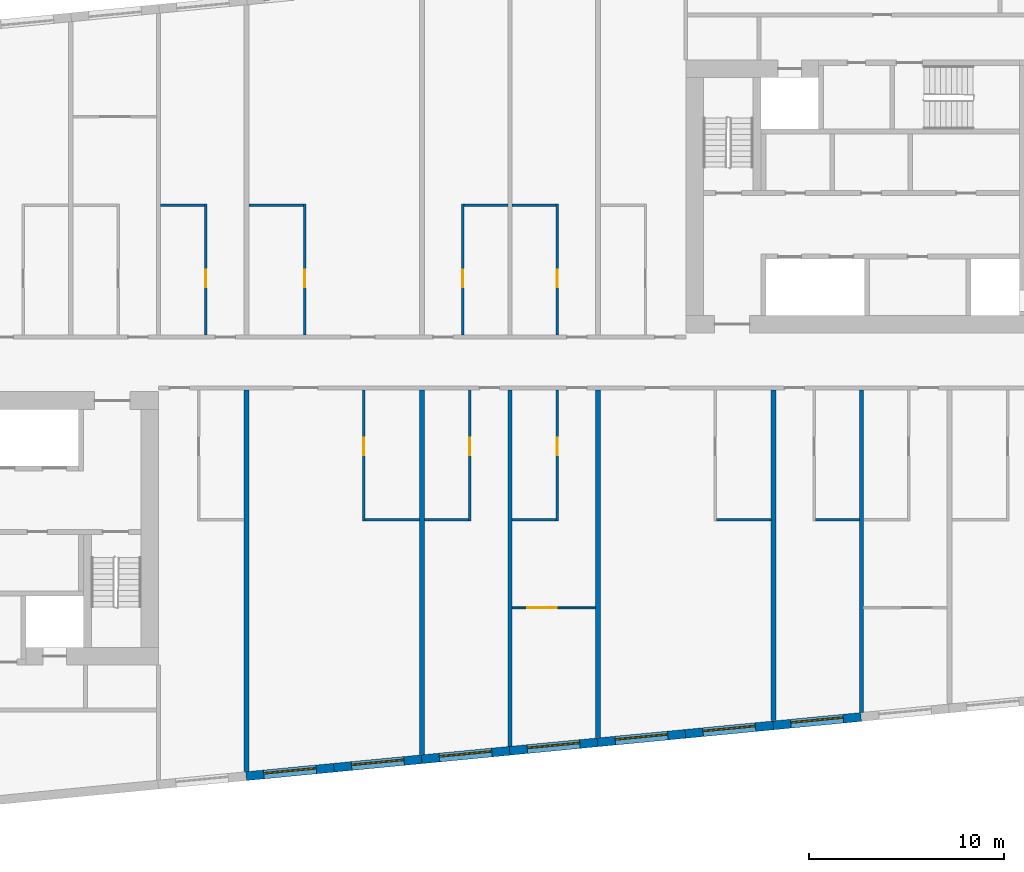
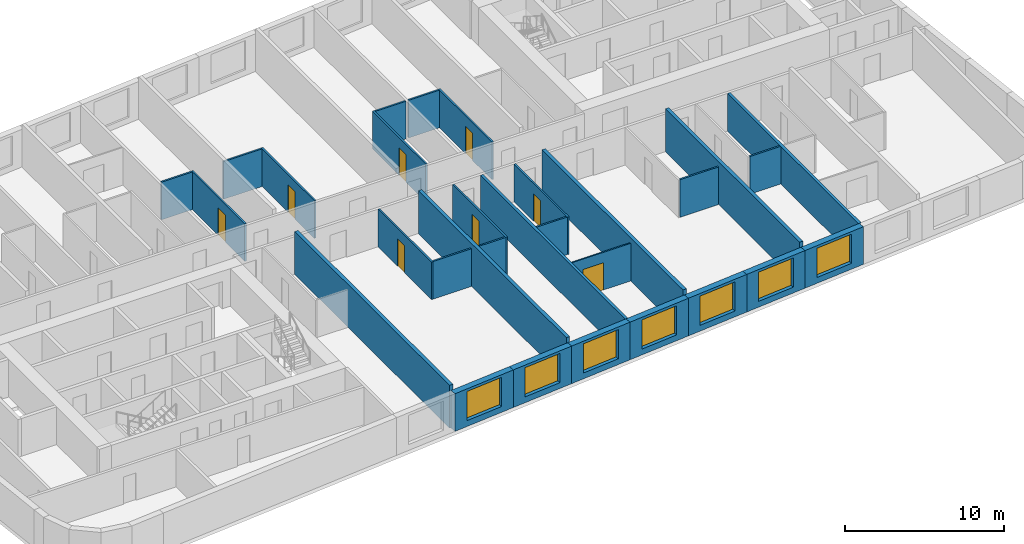
# One storey, part 4 of 11: 30 walls, 8 doors, 7 windows, 15 openings.
"""IFC4 building model written with IfcOpenShell, lengths in metres."""

import ifcopenshell
import ifcopenshell.guid

model = None  # the IFC model being written
_history = None  # IfcOwnerHistory: only IFC2X3 demands one
_inside = {}  # id of a spatial element -> (the spatial element, [elements in it])
_under = {}  # id of a project, library or spatial element -> (it, [spatial elements below it])
_declared = {}  # id of a project -> (the project, [libraries it declares])
_typed = {}  # id of a type object -> (the type object, [elements of that type])
_made_of = {}  # id of a material, layer set ... -> (it, [elements and type objects made of it])


def new_model(schema):
    """Start an empty IFC model of exactly this schema.

    Asked for "IFC4X3", IfcOpenShell would pick the latest addendum, in which some entities
    have other attributes; the version numbers below select the first issue.
    IFC2X3 requires an IfcOwnerHistory on every rooted entity: one is made here for all.
    """
    global model, _history
    if schema == "IFC4X3":
        model = ifcopenshell.file(schema_version=(4, 3, 0, 0))
    else:
        model = ifcopenshell.file(schema=schema)
    _inside.clear()
    _under.clear()
    _declared.clear()
    _typed.clear()
    _made_of.clear()
    _history = None
    if model.schema == "IFC2X3":
        org = make("IfcOrganization", Name="unknown")
        user = make(
            "IfcPersonAndOrganization",
            ThePerson=make("IfcPerson", FamilyName="unknown"),
            TheOrganization=org,
        )
        app = make(
            "IfcApplication",
            ApplicationDeveloper=org,
            Version="unknown",
            ApplicationFullName="unknown",
            ApplicationIdentifier="unknown",
        )
        _history = make(
            "IfcOwnerHistory",
            OwningUser=user,
            OwningApplication=app,
            ChangeAction="ADDED",
            CreationDate=0,
        )
    return model


def make(cls, **values):
    """One entity of the class cls with the attributes given. An attribute that is None is left unset."""
    return model.create_entity(
        cls, **{name: value for name, value in values.items() if value is not None}
    )


def rooted(cls, **values):
    """An entity with a GlobalId (a new one), such as an element, a storey or a relation."""
    return make(cls, GlobalId=ifcopenshell.guid.new(), OwnerHistory=_history, **values)


def si_unit(unit_type, name, prefix=None):
    """IfcSIUnit, for example si_unit("LENGTHUNIT", "METRE", prefix="MILLI")."""
    return make("IfcSIUnit", UnitType=unit_type, Prefix=prefix, Name=name)


def assignment(units):
    """IfcUnitAssignment: the units of a project."""
    return None if units is None else make("IfcUnitAssignment", Units=units)


def point(xyz):
    """IfcCartesianPoint."""
    return None if xyz is None else make("IfcCartesianPoint", Coordinates=xyz)


def direction(xyz):
    """IfcDirection."""
    return None if xyz is None else make("IfcDirection", DirectionRatios=xyz)


def frame(location, z_axis=None, x_axis=None):
    """IfcAxis2Placement3D, a coordinate frame: its origin and axes. An axis left out is left unset."""
    return make(
        "IfcAxis2Placement3D",
        Location=point(location),
        Axis=direction(z_axis),
        RefDirection=direction(x_axis),
    )


def frame_2d(location, x_axis=None):
    """IfcAxis2Placement2D, a coordinate frame in the plane: its origin and x axis."""
    return make(
        "IfcAxis2Placement2D", Location=point(location), RefDirection=direction(x_axis)
    )


def origin():
    """The frame at (0, 0, 0) with its axes left unset."""
    return frame((0.0, 0.0, 0.0))


def place(relative_to, where):
    """IfcLocalPlacement: puts the frame where relative to a parent placement (None: the world)."""
    return make(
        "IfcLocalPlacement", PlacementRelTo=relative_to, RelativePlacement=where
    )


def context(
    kind, dimensions, precision=None, world=None, true_north=None, identifier=None
):
    """IfcGeometricRepresentationContext, for example the 3D "Model" context."""
    return make(
        "IfcGeometricRepresentationContext",
        ContextIdentifier=identifier,
        ContextType=kind,
        CoordinateSpaceDimension=dimensions,
        Precision=precision,
        WorldCoordinateSystem=world,
        TrueNorth=true_north,
    )


def subcontext(parent, identifier, kind, view, scale=None):
    """IfcGeometricRepresentationSubContext, for example "Body" below "Model"."""
    return make(
        "IfcGeometricRepresentationSubContext",
        ContextIdentifier=identifier,
        ContextType=kind,
        ParentContext=parent,
        TargetScale=scale,
        TargetView=view,
    )


def project(units=None, contexts=None):
    """IfcProject with its units and contexts."""
    return rooted(
        "IfcProject",
        Name="project",
        RepresentationContexts=contexts,
        UnitsInContext=assignment(units),
    )


def spatial(cls, under=None, at=None, **own):
    """A site, building, storey or space (cls), placed at a placement, below another one or the project."""
    s = rooted(cls, ObjectPlacement=at, **own)
    if under is not None:
        _under.setdefault(under.id(), (under, []))[1].append(s)
    return s


def profile(cls, at=None, kind="AREA", **sizes):
    """A parametric profile (cls). Its sizes go by their IFC names, for example OverallWidth=200.0."""
    return make(cls, ProfileType=kind, Position=at, **sizes)


def rectangle(**sizes):
    """IfcRectangleProfileDef."""
    return profile("IfcRectangleProfileDef", **sizes)


def extrude(swept, where, along, depth):
    """IfcExtrudedAreaSolid: the profile swept, set in the frame where, extruded along a direction by depth."""
    return make(
        "IfcExtrudedAreaSolid",
        SweptArea=swept,
        Position=where,
        ExtrudedDirection=direction(along),
        Depth=depth,
    )


def shape(context_of_items, identifier, shape_type, items):
    """IfcShapeRepresentation: the items that make up one representation, for example the "Body"."""
    return make(
        "IfcShapeRepresentation",
        ContextOfItems=context_of_items,
        RepresentationIdentifier=identifier,
        RepresentationType=shape_type,
        Items=items,
    )


def material(Name=None, Category=None):
    """IfcMaterial."""
    return make("IfcMaterial", Name=Name, Category=Category)


def layer(
    of_material, thickness, ventilated=None, Name=None, Category=None, Priority=None
):
    """IfcMaterialLayer: one layer of a wall or slab, of a material (None: an air gap)."""
    return make(
        "IfcMaterialLayer",
        Material=of_material,
        LayerThickness=thickness,
        IsVentilated=ventilated,
        Name=Name,
        Category=Category,
        Priority=Priority,
    )


def layer_set(layers, Name=None):
    """IfcMaterialLayerSet."""
    return make("IfcMaterialLayerSet", MaterialLayers=layers, LayerSetName=Name)


def made_of(thing, what):
    """Note that an element or type object is made of a material, layer set ...; save() writes the relation."""
    if what is not None:
        _made_of.setdefault(what.id(), (what, []))[1].append(thing)
    return thing


def type_object(cls, material=None, **own):
    """A type object (cls), such as IfcWallType, which elements share."""
    return made_of(rooted(cls, **own), material)


def element(
    cls,
    number,
    at=None,
    inside=None,
    cuts=None,
    type_object=None,
    material=None,
    context=None,
    identifier="Body",
    shape_type=None,
    held_by="IfcProductDefinitionShape",
    body=None,
    shapes=None,
    **own,
):
    """One element of the class cls, such as IfcWall. Its Tag is "e" and its number.

    at: its placement. inside: the storey or other place that contains it. cuts: it is an
    opening in that element (IfcRelVoidsElement). A single representation is given by context,
    identifier, shape_type and body (its items); several are given by shapes. held_by: the class
    of the entity that holds the representations. save() writes the other relations.
    """
    e = rooted(cls, Tag="e%d" % number, ObjectPlacement=at, **own)
    if body is not None:
        shapes = [shape(context, identifier, shape_type, body)]
    if shapes is not None:
        e.Representation = make(held_by, Representations=shapes)
    if inside is not None:
        _inside.setdefault(inside.id(), (inside, []))[1].append(e)
    if cuts is not None:
        rooted(
            "IfcRelVoidsElement", RelatingBuildingElement=cuts, RelatedOpeningElement=e
        )
    if type_object is not None:
        _typed.setdefault(type_object.id(), (type_object, []))[1].append(e)
    return made_of(e, material)


def fill(opening, filler):
    """IfcRelFillsElement: the door or window that sits in an opening."""
    return rooted(
        "IfcRelFillsElement",
        RelatingOpeningElement=opening,
        RelatedBuildingElement=filler,
    )


def aggregate(whole, parts):
    """IfcRelAggregates: a whole, such as a stair, and the parts it consists of."""
    return rooted("IfcRelAggregates", RelatingObject=whole, RelatedObjects=parts)


def save(model, path):
    """Write the relations noted so far, then the file.

    IfcRelAggregates (storeys below a building ...), IfcRelContainedInSpatialStructure (elements
    in a storey), IfcRelDefinesByType, IfcRelAssociatesMaterial and IfcRelDeclares: one each for
    every whole, place, type object, material and project.
    """
    for whole, parts in _under.values():
        aggregate(whole, parts)
    for where, things in _inside.values():
        rooted(
            "IfcRelContainedInSpatialStructure",
            RelatedElements=things,
            RelatingStructure=where,
        )
    for kind, things in _typed.values():
        rooted("IfcRelDefinesByType", RelatedObjects=things, RelatingType=kind)
    for what, things in _made_of.values():
        rooted("IfcRelAssociatesMaterial", RelatedObjects=things, RelatingMaterial=what)
    for by, libraries in _declared.values():
        rooted("IfcRelDeclares", RelatingContext=by, RelatedDefinitions=libraries)
    model.write(path)


model = new_model("IFC4")

# Units and contexts
model_context = context("Model", 3, precision=1e-05, world=origin(), true_north=direction((0.0, 1.0)))
body_context = subcontext(model_context, "Body", "Model", "MODEL_VIEW")
ifc_project = project(units=[si_unit("LENGTHUNIT", "METRE"), si_unit("AREAUNIT", "SQUARE_METRE"), si_unit("VOLUMEUNIT", "CUBIC_METRE"), si_unit("PLANEANGLEUNIT", "RADIAN"), si_unit("MASSUNIT", "GRAM", prefix="KILO")], contexts=[model_context])

# Site, building, storey
site_placement = place(None, origin())
site = spatial("IfcSite", under=ifc_project, at=site_placement, CompositionType="ELEMENT")
building_placement = place(site_placement, origin())
building = spatial("IfcBuilding", under=site, at=building_placement, Name="Kajstack Hotel Tower", CompositionType="ELEMENT")
storey_placement = place(building_placement, frame((0.0, 0.0, 304.800048828125)))
storey = spatial("IfcBuildingStorey", under=building, at=storey_placement, Name="L77", CompositionType="ELEMENT", Elevation=304.800048828125)

# Walls
ifc_material_1 = material(Name="Twin-frame gypsum board on steel studs, mineral wool", Category="steel")
ifc_layer_1 = layer(ifc_material_1, 0.199951171875)
ifc_layer_set_1 = layer_set([ifc_layer_1], Name="Demising wall 200")
wall_type_1 = type_object("IfcWallType", Name="Demising wall 200", PredefinedType="PARTITIONING", material=ifc_layer_set_1)
wall_1_placement = place(storey_placement, frame((4.5, -19.6630859375, 0.0), z_axis=(0.0, 0.0, 1.0), x_axis=(0.0, 1.0, 0.0)))
element("IfcWall", 1, at=wall_1_placement, inside=storey, type_object=wall_type_1, Name="G-wall-L77-033", PredefinedType="PARTITIONING", context=body_context, shape_type="SweptSolid", body=[
    extrude(rectangle(XDim=18.26318359375, YDim=0.199951171875, at=frame_2d((9.131591796875, 0.0))), origin(), (0.0, 0.0, 1.0), 2.89990234375),
])
wall_2_placement = place(storey_placement, frame((22.5, -17.928955078125, 0.0), z_axis=(0.0, 0.0, 1.0), x_axis=(0.0, 1.0, 0.0)))
element("IfcWall", 2, at=wall_2_placement, inside=storey, type_object=wall_type_1, Name="G-wall-L77-041", PredefinedType="PARTITIONING", context=body_context, shape_type="SweptSolid", body=[
    extrude(rectangle(XDim=16.529052734375, YDim=0.199951171875, at=frame_2d((8.2646484375, 0.0))), origin(), (0.0, 0.0, 1.0), 2.89990234375),
])

# Wall, opening, window
ifc_material_2 = material(Name="Concrete C40/50", Category="concrete")
ifc_layer_2 = layer(ifc_material_2, 0.449951171875)
ifc_layer_set_2 = layer_set([ifc_layer_2], Name="EW-CORE")
wall_type_2 = type_object("IfcWallType", Name="EW-CORE", PredefinedType="SOLIDWALL", material=ifc_layer_set_2)
wall_3_placement = place(storey_placement, frame((-9.021484375, -21.190673828125, 0.0), z_axis=(0.0, 0.0, 1.0), x_axis=(0.995395166513, 0.095856468129, 0.0)))
wall_3 = element("IfcWall", 3, at=wall_3_placement, inside=storey, type_object=wall_type_2, Name="E-wall-L77-04-03", PredefinedType="SOLIDWALL", context=body_context, shape_type="SweptSolid", body=[
    extrude(rectangle(XDim=4.520751953125, YDim=0.449951171875, at=frame_2d((2.26025390625, 0.0))), origin(), (0.0, 0.0, 1.0), 2.89990234375),
])
opening_1_placement = place(wall_3_placement, frame((0.910400390625, 0.0, 0.449951171875)))
opening_1 = element("IfcOpeningElement", 4, at=opening_1_placement, cuts=wall_3, Name="Opening W1", PredefinedType="OPENING", context=body_context, shape_type="SweptSolid", body=[
    extrude(rectangle(XDim=2.699951171875, YDim=2.25, at=frame_2d((1.35009765625, 1.125))), frame((0.0, 0.23486328125, 0.0), z_axis=(0.0, -1.0, 0.0), x_axis=(1.0, 0.0, 0.0)), (0.0, 0.0, 1.0), 0.469970703125),
])
ifc_material_3 = material(Name="Timber-aluminium window, triple glazed", Category="wood")
window_type = type_object("IfcWindowType", Name="WG1", PartitioningType="SINGLE_PANEL", PredefinedType="WINDOW", material=ifc_material_3)
window_1_placement = place(opening_1_placement, origin())
window_1 = element("IfcWindow", 5, at=window_1_placement, inside=storey, type_object=window_type, Name="Window W1 L77-04", OverallHeight=2.25, OverallWidth=2.699951171875, PartitioningType="SINGLE_PANEL", PredefinedType="WINDOW", context=body_context, shape_type="SweptSolid", body=[
    extrude(rectangle(XDim=2.699951171875, YDim=2.25, at=frame_2d((1.35009765625, 1.125))), frame((0.0, 0.090087890625, 0.0), z_axis=(0.0, -1.0, 0.0), x_axis=(1.0, 0.0, 0.0)), (0.0, 0.0, 1.0), 0.06005859375),
])
fill(opening_1, window_1)

wall_4_placement = place(storey_placement, frame((-4.521484375, -20.75732421875, 0.0), z_axis=(0.0, 0.0, 1.0), x_axis=(0.995395166513, 0.095856468129, 0.0)))
wall_4 = element("IfcWall", 6, at=wall_4_placement, inside=storey, type_object=wall_type_2, Name="E-wall-L77-04-04", PredefinedType="SOLIDWALL", context=body_context, shape_type="SweptSolid", body=[
    extrude(rectangle(XDim=4.520751953125, YDim=0.449951171875, at=frame_2d((2.26025390625, 0.0))), origin(), (0.0, 0.0, 1.0), 2.89990234375),
])
opening_2_placement = place(wall_4_placement, frame((0.910400390625, 0.0, 0.449951171875)))
opening_2 = element("IfcOpeningElement", 7, at=opening_2_placement, cuts=wall_4, Name="Opening W1", PredefinedType="OPENING", context=body_context, shape_type="SweptSolid", body=[
    extrude(rectangle(XDim=2.699951171875, YDim=2.25, at=frame_2d((1.35009765625, 1.125))), frame((0.0, 0.23486328125, 0.0), z_axis=(0.0, -1.0, 0.0), x_axis=(1.0, 0.0, 0.0)), (0.0, 0.0, 1.0), 0.469970703125),
])
window_2_placement = place(opening_2_placement, origin())
window_2 = element("IfcWindow", 8, at=window_2_placement, inside=storey, type_object=window_type, Name="Window W1 L77-04", OverallHeight=2.25, OverallWidth=2.699951171875, PartitioningType="SINGLE_PANEL", PredefinedType="WINDOW", context=body_context, shape_type="SweptSolid", body=[
    extrude(rectangle(XDim=2.699951171875, YDim=2.25, at=frame_2d((1.35009765625, 1.125))), frame((0.0, 0.090087890625, 0.0), z_axis=(0.0, -1.0, 0.0), x_axis=(1.0, 0.0, 0.0)), (0.0, 0.0, 1.0), 0.06005859375),
])
fill(opening_2, window_2)

wall_5_placement = place(storey_placement, frame((-0.021484375, -20.323974609375, 0.0), z_axis=(0.0, 0.0, 1.0), x_axis=(0.995400317863, 0.09580296028, 0.0)))
wall_5 = element("IfcWall", 9, at=wall_5_placement, inside=storey, type_object=wall_type_2, Name="E-wall-L77-04-05", PredefinedType="SOLIDWALL", context=body_context, shape_type="SweptSolid", body=[
    extrude(rectangle(XDim=4.520751953125, YDim=0.449951171875, at=frame_2d((2.26025390625, 0.0))), origin(), (0.0, 0.0, 1.0), 2.89990234375),
])
opening_3_placement = place(wall_5_placement, frame((0.910400390625, 0.0, 0.449951171875)))
opening_3 = element("IfcOpeningElement", 10, at=opening_3_placement, cuts=wall_5, Name="Opening W1", PredefinedType="OPENING", context=body_context, shape_type="SweptSolid", body=[
    extrude(rectangle(XDim=2.699951171875, YDim=2.25, at=frame_2d((1.35009765625, 1.125))), frame((0.0, 0.23486328125, 0.0), z_axis=(0.0, -1.0, 0.0), x_axis=(1.0, 0.0, 0.0)), (0.0, 0.0, 1.0), 0.469970703125),
])
window_3_placement = place(opening_3_placement, origin())
window_3 = element("IfcWindow", 11, at=window_3_placement, inside=storey, type_object=window_type, Name="Window W1 L77-04", OverallHeight=2.25, OverallWidth=2.699951171875, PartitioningType="SINGLE_PANEL", PredefinedType="WINDOW", context=body_context, shape_type="SweptSolid", body=[
    extrude(rectangle(XDim=2.699951171875, YDim=2.25, at=frame_2d((1.35009765625, 1.125))), frame((0.0, 0.090087890625, 0.0), z_axis=(0.0, -1.0, 0.0), x_axis=(1.0, 0.0, 0.0)), (0.0, 0.0, 1.0), 0.06005859375),
])
fill(opening_3, window_3)

wall_6_placement = place(storey_placement, frame((4.478515625, -19.890869140625, 0.0), z_axis=(0.0, 0.0, 1.0), x_axis=(0.995394670263, 0.095861621166, 0.0)))
wall_6 = element("IfcWall", 12, at=wall_6_placement, inside=storey, type_object=wall_type_2, Name="E-wall-L77-04-06", PredefinedType="SOLIDWALL", context=body_context, shape_type="SweptSolid", body=[
    extrude(rectangle(XDim=4.5205078125, YDim=0.449951171875, at=frame_2d((2.26025390625, 0.0))), origin(), (0.0, 0.0, 1.0), 2.89990234375),
])
opening_4_placement = place(wall_6_placement, frame((0.910400390625, 0.0, 0.449951171875)))
opening_4 = element("IfcOpeningElement", 13, at=opening_4_placement, cuts=wall_6, Name="Opening W1", PredefinedType="OPENING", context=body_context, shape_type="SweptSolid", body=[
    extrude(rectangle(XDim=2.699951171875, YDim=2.25, at=frame_2d((1.35009765625, 1.125))), frame((0.0, 0.23486328125, 0.0), z_axis=(0.0, -1.0, 0.0), x_axis=(1.0, 0.0, 0.0)), (0.0, 0.0, 1.0), 0.469970703125),
])
window_4_placement = place(opening_4_placement, origin())
window_4 = element("IfcWindow", 14, at=window_4_placement, inside=storey, type_object=window_type, Name="Window W1 L77-04", OverallHeight=2.25, OverallWidth=2.699951171875, PartitioningType="SINGLE_PANEL", PredefinedType="WINDOW", context=body_context, shape_type="SweptSolid", body=[
    extrude(rectangle(XDim=2.699951171875, YDim=2.25, at=frame_2d((1.35009765625, 1.125))), frame((0.0, 0.090087890625, 0.0), z_axis=(0.0, -1.0, 0.0), x_axis=(1.0, 0.0, 0.0)), (0.0, 0.0, 1.0), 0.06005859375),
])
fill(opening_4, window_4)

wall_7_placement = place(storey_placement, frame((8.978271484375, -19.45751953125, 0.0), z_axis=(0.0, 0.0, 1.0), x_axis=(0.995395166513, 0.095856468129, 0.0)))
wall_7 = element("IfcWall", 15, at=wall_7_placement, inside=storey, type_object=wall_type_2, Name="E-wall-L77-04-07", PredefinedType="SOLIDWALL", context=body_context, shape_type="SweptSolid", body=[
    extrude(rectangle(XDim=4.520751953125, YDim=0.449951171875, at=frame_2d((2.26025390625, 0.0))), origin(), (0.0, 0.0, 1.0), 2.89990234375),
])
opening_5_placement = place(wall_7_placement, frame((0.910400390625, 0.0, 0.449951171875)))
opening_5 = element("IfcOpeningElement", 16, at=opening_5_placement, cuts=wall_7, Name="Opening W1", PredefinedType="OPENING", context=body_context, shape_type="SweptSolid", body=[
    extrude(rectangle(XDim=2.699951171875, YDim=2.25, at=frame_2d((1.35009765625, 1.125))), frame((0.0, 0.23486328125, 0.0), z_axis=(0.0, -1.0, 0.0), x_axis=(1.0, 0.0, 0.0)), (0.0, 0.0, 1.0), 0.469970703125),
])
window_5_placement = place(opening_5_placement, origin())
window_5 = element("IfcWindow", 17, at=window_5_placement, inside=storey, type_object=window_type, Name="Window W1 L77-04", OverallHeight=2.25, OverallWidth=2.699951171875, PartitioningType="SINGLE_PANEL", PredefinedType="WINDOW", context=body_context, shape_type="SweptSolid", body=[
    extrude(rectangle(XDim=2.699951171875, YDim=2.25, at=frame_2d((1.35009765625, 1.125))), frame((0.0, 0.090087890625, 0.0), z_axis=(0.0, -1.0, 0.0), x_axis=(1.0, 0.0, 0.0)), (0.0, 0.0, 1.0), 0.06005859375),
])
fill(opening_5, window_5)

wall_8_placement = place(storey_placement, frame((13.478271484375, -19.024169921875, 0.0), z_axis=(0.0, 0.0, 1.0), x_axis=(0.995395662684, 0.095851315644, 0.0)))
wall_8 = element("IfcWall", 18, at=wall_8_placement, inside=storey, type_object=wall_type_2, Name="E-wall-L77-04-08", PredefinedType="SOLIDWALL", context=body_context, shape_type="SweptSolid", body=[
    extrude(rectangle(XDim=4.52099609375, YDim=0.449951171875, at=frame_2d((2.260498046875, 0.0))), origin(), (0.0, 0.0, 1.0), 2.89990234375),
])
opening_6_placement = place(wall_8_placement, frame((0.910400390625, 0.0, 0.449951171875)))
opening_6 = element("IfcOpeningElement", 19, at=opening_6_placement, cuts=wall_8, Name="Opening W1", PredefinedType="OPENING", context=body_context, shape_type="SweptSolid", body=[
    extrude(rectangle(XDim=2.699951171875, YDim=2.25, at=frame_2d((1.35009765625, 1.125))), frame((0.0, 0.23486328125, 0.0), z_axis=(0.0, -1.0, 0.0), x_axis=(1.0, 0.0, 0.0)), (0.0, 0.0, 1.0), 0.469970703125),
])
window_6_placement = place(opening_6_placement, origin())
window_6 = element("IfcWindow", 20, at=window_6_placement, inside=storey, type_object=window_type, Name="Window W1 L77-04", OverallHeight=2.25, OverallWidth=2.699951171875, PartitioningType="SINGLE_PANEL", PredefinedType="WINDOW", context=body_context, shape_type="SweptSolid", body=[
    extrude(rectangle(XDim=2.699951171875, YDim=2.25, at=frame_2d((1.35009765625, 1.125))), frame((0.0, 0.090087890625, 0.0), z_axis=(0.0, -1.0, 0.0), x_axis=(1.0, 0.0, 0.0)), (0.0, 0.0, 1.0), 0.06005859375),
])
fill(opening_6, window_6)

wall_9_placement = place(storey_placement, frame((17.978515625, -18.5908203125, 0.0), z_axis=(0.0, 0.0, 1.0), x_axis=(0.995395166513, 0.095856468129, 0.0)))
wall_9 = element("IfcWall", 21, at=wall_9_placement, inside=storey, type_object=wall_type_2, Name="E-wall-L77-04-09", PredefinedType="SOLIDWALL", context=body_context, shape_type="SweptSolid", body=[
    extrude(rectangle(XDim=4.520751953125, YDim=0.449951171875, at=frame_2d((2.26025390625, 0.0))), origin(), (0.0, 0.0, 1.0), 2.89990234375),
])
opening_7_placement = place(wall_9_placement, frame((0.910400390625, 0.0, 0.449951171875)))
opening_7 = element("IfcOpeningElement", 22, at=opening_7_placement, cuts=wall_9, Name="Opening W1", PredefinedType="OPENING", context=body_context, shape_type="SweptSolid", body=[
    extrude(rectangle(XDim=2.699951171875, YDim=2.25, at=frame_2d((1.35009765625, 1.125))), frame((0.0, 0.23486328125, 0.0), z_axis=(0.0, -1.0, 0.0), x_axis=(1.0, 0.0, 0.0)), (0.0, 0.0, 1.0), 0.469970703125),
])
window_7_placement = place(opening_7_placement, origin())
window_7 = element("IfcWindow", 23, at=window_7_placement, inside=storey, type_object=window_type, Name="Window W1 L77-04", OverallHeight=2.25, OverallWidth=2.699951171875, PartitioningType="SINGLE_PANEL", PredefinedType="WINDOW", context=body_context, shape_type="SweptSolid", body=[
    extrude(rectangle(XDim=2.699951171875, YDim=2.25, at=frame_2d((1.35009765625, 1.125))), frame((0.0, 0.090087890625, 0.0), z_axis=(0.0, -1.0, 0.0), x_axis=(1.0, 0.0, 0.0)), (0.0, 0.0, 1.0), 0.06005859375),
])
fill(opening_7, window_7)

# Wall, opening, door
ifc_material_4 = material(Name="Gypsum board and tiled backer on steel studs", Category="steel")
ifc_layer_3 = layer(ifc_material_4, 0.125)
ifc_layer_set_3 = layer_set([ifc_layer_3], Name="En-suite wall 125")
wall_type_3 = type_object("IfcWallType", Name="En-suite wall 125", PredefinedType="PARTITIONING", material=ifc_layer_set_3)
wall_10_placement = place(storey_placement, frame((-11.087890625, 1.39990234375, 0.0), z_axis=(0.0, 0.0, 1.0), x_axis=(0.0, 1.0, 0.0)))
wall_10 = element("IfcWall", 24, at=wall_10_placement, inside=storey, type_object=wall_type_3, Name="G-wall-L77-017", PredefinedType="PARTITIONING", context=body_context, shape_type="SweptSolid", body=[
    extrude(rectangle(XDim=6.72509765625, YDim=0.125, at=frame_2d((3.362548828125, 0.0))), origin(), (0.0, 0.0, 1.0), 2.89990234375),
])
opening_8_placement = place(wall_10_placement, frame((2.449951171875, 0.0, 0.0)))
opening_8 = element("IfcOpeningElement", 25, at=opening_8_placement, cuts=wall_10, Name="Opening 77013", PredefinedType="OPENING", context=body_context, shape_type="SweptSolid", body=[
    extrude(rectangle(XDim=0.89990234375, YDim=2.10009765625, at=frame_2d((0.449951171875, 1.050048828125))), frame((0.0, 0.072509765625, 0.0), z_axis=(0.0, -1.0, 0.0), x_axis=(1.0, 0.0, 0.0)), (0.0, 0.0, 1.0), 0.14501953125),
])
ifc_material_5 = material(Name="Painted timber door leaf", Category="wood")
door_type_1 = type_object("IfcDoorType", Name="Room door 900", OperationType="SINGLE_SWING_LEFT", PredefinedType="DOOR", material=ifc_material_5)
door_1_placement = place(opening_8_placement, origin())
door_1 = element("IfcDoor", 26, at=door_1_placement, inside=storey, type_object=door_type_1, Name="G-door-L77-13", OperationType="SINGLE_SWING_RIGHT", OverallHeight=2.10009765625, OverallWidth=0.89990234375, PredefinedType="DOOR", context=body_context, shape_type="SweptSolid", body=[
    extrude(rectangle(XDim=0.89990234375, YDim=2.10009765625, at=frame_2d((0.449951171875, 1.050048828125))), frame((0.0, 0.02490234375, 0.0), z_axis=(0.0, -1.0, 0.0), x_axis=(1.0, 0.0, 0.0)), (0.0, 0.0, 1.0), 0.050048828125),
])
fill(opening_8, door_1)

# Wall
wall_11_placement = place(storey_placement, frame((-13.39990234375, 8.06201171875, 0.0), z_axis=(0.0, 0.0, 1.0), x_axis=(1.0, 0.0, 0.0)))
element("IfcWall", 27, at=wall_11_placement, inside=storey, type_object=wall_type_3, Name="G-wall-L77-018", PredefinedType="PARTITIONING", context=body_context, shape_type="SweptSolid", body=[
    extrude(rectangle(XDim=2.25, YDim=0.125, at=frame_2d((1.125, 0.0))), origin(), (0.0, 0.0, 1.0), 2.89990234375),
])

# Wall, opening, door
wall_12_placement = place(storey_placement, frame((-6.012939453125, 1.39990234375, 0.0), z_axis=(0.0, 0.0, 1.0), x_axis=(0.0, 1.0, 0.0)))
wall_12 = element("IfcWall", 28, at=wall_12_placement, inside=storey, type_object=wall_type_3, Name="G-wall-L77-019", PredefinedType="PARTITIONING", context=body_context, shape_type="SweptSolid", body=[
    extrude(rectangle(XDim=6.72509765625, YDim=0.125, at=frame_2d((3.362548828125, 0.0))), origin(), (0.0, 0.0, 1.0), 2.89990234375),
])
opening_9_placement = place(wall_12_placement, frame((2.449951171875, 0.0, 0.0)))
opening_9 = element("IfcOpeningElement", 29, at=opening_9_placement, cuts=wall_12, Name="Opening 77015", PredefinedType="OPENING", context=body_context, shape_type="SweptSolid", body=[
    extrude(rectangle(XDim=0.89990234375, YDim=2.10009765625, at=frame_2d((0.449951171875, 1.050048828125))), frame((0.0, 0.072509765625, 0.0), z_axis=(0.0, -1.0, 0.0), x_axis=(1.0, 0.0, 0.0)), (0.0, 0.0, 1.0), 0.14501953125),
])
door_2_placement = place(opening_9_placement, origin())
door_2 = element("IfcDoor", 30, at=door_2_placement, inside=storey, type_object=door_type_1, Name="G-door-L77-15", OperationType="SINGLE_SWING_LEFT", OverallHeight=2.10009765625, OverallWidth=0.89990234375, PredefinedType="DOOR", context=body_context, shape_type="SweptSolid", body=[
    extrude(rectangle(XDim=0.89990234375, YDim=2.10009765625, at=frame_2d((0.449951171875, 1.050048828125))), frame((0.0, 0.02490234375, 0.0), z_axis=(0.0, -1.0, 0.0), x_axis=(1.0, 0.0, 0.0)), (0.0, 0.0, 1.0), 0.050048828125),
])
fill(opening_9, door_2)

# Wall
wall_13_placement = place(storey_placement, frame((-8.875, 8.06201171875, 0.0), z_axis=(0.0, 0.0, 1.0), x_axis=(1.0, 0.0, 0.0)))
element("IfcWall", 31, at=wall_13_placement, inside=storey, type_object=wall_type_3, Name="G-wall-L77-020", PredefinedType="PARTITIONING", context=body_context, shape_type="SweptSolid", body=[
    extrude(rectangle(XDim=2.800048828125, YDim=0.125, at=frame_2d((1.39990234375, 0.0))), origin(), (0.0, 0.0, 1.0), 2.89990234375),
])

# Wall, opening, door
wall_14_placement = place(storey_placement, frame((2.0869140625, 1.39990234375, 0.0), z_axis=(0.0, 0.0, 1.0), x_axis=(0.0, 1.0, 0.0)))
wall_14 = element("IfcWall", 32, at=wall_14_placement, inside=storey, type_object=wall_type_3, Name="G-wall-L77-022", PredefinedType="PARTITIONING", context=body_context, shape_type="SweptSolid", body=[
    extrude(rectangle(XDim=6.72509765625, YDim=0.125, at=frame_2d((3.362548828125, 0.0))), origin(), (0.0, 0.0, 1.0), 2.89990234375),
])
opening_10_placement = place(wall_14_placement, frame((2.449951171875, 0.0, 0.0)))
opening_10 = element("IfcOpeningElement", 33, at=opening_10_placement, cuts=wall_14, Name="Opening 77017", PredefinedType="OPENING", context=body_context, shape_type="SweptSolid", body=[
    extrude(rectangle(XDim=0.89990234375, YDim=2.10009765625, at=frame_2d((0.449951171875, 1.050048828125))), frame((0.0, 0.072509765625, 0.0), z_axis=(0.0, -1.0, 0.0), x_axis=(1.0, 0.0, 0.0)), (0.0, 0.0, 1.0), 0.14501953125),
])
door_3_placement = place(opening_10_placement, origin())
door_3 = element("IfcDoor", 34, at=door_3_placement, inside=storey, type_object=door_type_1, Name="G-door-L77-17", OperationType="SINGLE_SWING_LEFT", OverallHeight=2.10009765625, OverallWidth=0.89990234375, PredefinedType="DOOR", context=body_context, shape_type="SweptSolid", body=[
    extrude(rectangle(XDim=0.89990234375, YDim=2.10009765625, at=frame_2d((0.449951171875, 1.050048828125))), frame((0.0, 0.02490234375, 0.0), z_axis=(0.0, -1.0, 0.0), x_axis=(1.0, 0.0, 0.0)), (0.0, 0.0, 1.0), 0.050048828125),
])
fill(opening_10, door_3)

# Wall
wall_15_placement = place(storey_placement, frame((2.14990234375, 8.06201171875, 0.0), z_axis=(0.0, 0.0, 1.0), x_axis=(1.0, 0.0, 0.0)))
element("IfcWall", 35, at=wall_15_placement, inside=storey, type_object=wall_type_3, Name="G-wall-L77-023", PredefinedType="PARTITIONING", context=body_context, shape_type="SweptSolid", body=[
    extrude(rectangle(XDim=2.25, YDim=0.125, at=frame_2d((1.125, 0.0))), origin(), (0.0, 0.0, 1.0), 2.89990234375),
])

# Wall, opening, door
wall_16_placement = place(storey_placement, frame((6.912109375, 1.39990234375, 0.0), z_axis=(0.0, 0.0, 1.0), x_axis=(0.0, 1.0, 0.0)))
wall_16 = element("IfcWall", 36, at=wall_16_placement, inside=storey, type_object=wall_type_3, Name="G-wall-L77-024", PredefinedType="PARTITIONING", context=body_context, shape_type="SweptSolid", body=[
    extrude(rectangle(XDim=6.72509765625, YDim=0.125, at=frame_2d((3.362548828125, 0.0))), origin(), (0.0, 0.0, 1.0), 2.89990234375),
])
opening_11_placement = place(wall_16_placement, frame((2.449951171875, 0.0, 0.0)))
opening_11 = element("IfcOpeningElement", 37, at=opening_11_placement, cuts=wall_16, Name="Opening 77019", PredefinedType="OPENING", context=body_context, shape_type="SweptSolid", body=[
    extrude(rectangle(XDim=0.89990234375, YDim=2.10009765625, at=frame_2d((0.449951171875, 1.050048828125))), frame((0.0, 0.072509765625, 0.0), z_axis=(0.0, -1.0, 0.0), x_axis=(1.0, 0.0, 0.0)), (0.0, 0.0, 1.0), 0.14501953125),
])
door_4_placement = place(opening_11_placement, origin())
door_4 = element("IfcDoor", 38, at=door_4_placement, inside=storey, type_object=door_type_1, Name="G-door-L77-19", OperationType="SINGLE_SWING_LEFT", OverallHeight=2.10009765625, OverallWidth=0.89990234375, PredefinedType="DOOR", context=body_context, shape_type="SweptSolid", body=[
    extrude(rectangle(XDim=0.89990234375, YDim=2.10009765625, at=frame_2d((0.449951171875, 1.050048828125))), frame((0.0, 0.02490234375, 0.0), z_axis=(0.0, -1.0, 0.0), x_axis=(1.0, 0.0, 0.0)), (0.0, 0.0, 1.0), 0.050048828125),
])
fill(opening_11, door_4)

# Wall
wall_17_placement = place(storey_placement, frame((4.60009765625, 8.06201171875, 0.0), z_axis=(0.0, 0.0, 1.0), x_axis=(1.0, 0.0, 0.0)))
element("IfcWall", 39, at=wall_17_placement, inside=storey, type_object=wall_type_3, Name="G-wall-L77-025", PredefinedType="PARTITIONING", context=body_context, shape_type="SweptSolid", body=[
    extrude(rectangle(XDim=2.25, YDim=0.125, at=frame_2d((1.125, 0.0))), origin(), (0.0, 0.0, 1.0), 2.89990234375),
])

# Wall, opening, door
wall_18_placement = place(storey_placement, frame((-2.987060546875, -8.125, 0.0), z_axis=(0.0, 0.0, 1.0), x_axis=(0.0, 1.0, 0.0)))
wall_18 = element("IfcWall", 40, at=wall_18_placement, inside=storey, type_object=wall_type_3, Name="G-wall-L77-031", PredefinedType="PARTITIONING", context=body_context, shape_type="SweptSolid", body=[
    extrude(rectangle(XDim=6.72509765625, YDim=0.125, at=frame_2d((3.362548828125, 0.0))), origin(), (0.0, 0.0, 1.0), 2.89990234375),
])
opening_12_placement = place(wall_18_placement, frame((3.375, 0.0, 0.0)))
opening_12 = element("IfcOpeningElement", 41, at=opening_12_placement, cuts=wall_18, Name="Opening 77025", PredefinedType="OPENING", context=body_context, shape_type="SweptSolid", body=[
    extrude(rectangle(XDim=0.89990234375, YDim=2.10009765625, at=frame_2d((0.449951171875, 1.050048828125))), frame((0.0, 0.072509765625, 0.0), z_axis=(0.0, -1.0, 0.0), x_axis=(1.0, 0.0, 0.0)), (0.0, 0.0, 1.0), 0.14501953125),
])
door_5_placement = place(opening_12_placement, origin())
door_5 = element("IfcDoor", 42, at=door_5_placement, inside=storey, type_object=door_type_1, Name="G-door-L77-25", OperationType="SINGLE_SWING_RIGHT", OverallHeight=2.10009765625, OverallWidth=0.89990234375, PredefinedType="DOOR", context=body_context, shape_type="SweptSolid", body=[
    extrude(rectangle(XDim=0.89990234375, YDim=2.10009765625, at=frame_2d((0.449951171875, 1.050048828125))), frame((0.0, 0.02490234375, 0.0), z_axis=(0.0, -1.0, 0.0), x_axis=(1.0, 0.0, 0.0)), (0.0, 0.0, 1.0), 0.050048828125),
])
fill(opening_12, door_5)

# Wall
wall_19_placement = place(storey_placement, frame((-2.925048828125, -8.06201171875, 0.0), z_axis=(0.0, 0.0, 1.0), x_axis=(1.0, 0.0, 0.0)))
element("IfcWall", 43, at=wall_19_placement, inside=storey, type_object=wall_type_3, Name="G-wall-L77-032", PredefinedType="PARTITIONING", context=body_context, shape_type="SweptSolid", body=[
    extrude(rectangle(XDim=2.800048828125, YDim=0.125, at=frame_2d((1.39990234375, 0.0))), origin(), (0.0, 0.0, 1.0), 2.89990234375),
])

# Wall, opening, door
wall_20_placement = place(storey_placement, frame((2.43798828125, -8.125, 0.0), z_axis=(0.0, 0.0, 1.0), x_axis=(0.0, 1.0, 0.0)))
wall_20 = element("IfcWall", 44, at=wall_20_placement, inside=storey, type_object=wall_type_3, Name="G-wall-L77-034", PredefinedType="PARTITIONING", context=body_context, shape_type="SweptSolid", body=[
    extrude(rectangle(XDim=6.72509765625, YDim=0.125, at=frame_2d((3.362548828125, 0.0))), origin(), (0.0, 0.0, 1.0), 2.89990234375),
])
opening_13_placement = place(wall_20_placement, frame((3.375, 0.0, 0.0)))
opening_13 = element("IfcOpeningElement", 45, at=opening_13_placement, cuts=wall_20, Name="Opening 77027", PredefinedType="OPENING", context=body_context, shape_type="SweptSolid", body=[
    extrude(rectangle(XDim=0.89990234375, YDim=2.10009765625, at=frame_2d((0.449951171875, 1.050048828125))), frame((0.0, 0.072509765625, 0.0), z_axis=(0.0, -1.0, 0.0), x_axis=(1.0, 0.0, 0.0)), (0.0, 0.0, 1.0), 0.14501953125),
])
door_6_placement = place(opening_13_placement, origin())
door_6 = element("IfcDoor", 46, at=door_6_placement, inside=storey, type_object=door_type_1, Name="G-door-L77-27", OperationType="SINGLE_SWING_RIGHT", OverallHeight=2.10009765625, OverallWidth=0.89990234375, PredefinedType="DOOR", context=body_context, shape_type="SweptSolid", body=[
    extrude(rectangle(XDim=0.89990234375, YDim=2.10009765625, at=frame_2d((0.449951171875, 1.050048828125))), frame((0.0, 0.02490234375, 0.0), z_axis=(0.0, -1.0, 0.0), x_axis=(1.0, 0.0, 0.0)), (0.0, 0.0, 1.0), 0.050048828125),
])
fill(opening_13, door_6)

# Wall
wall_21_placement = place(storey_placement, frame((0.125, -8.06201171875, 0.0), z_axis=(0.0, 0.0, 1.0), x_axis=(1.0, 0.0, 0.0)))
element("IfcWall", 47, at=wall_21_placement, inside=storey, type_object=wall_type_3, Name="G-wall-L77-035", PredefinedType="PARTITIONING", context=body_context, shape_type="SweptSolid", body=[
    extrude(rectangle(XDim=2.25, YDim=0.125, at=frame_2d((1.125, 0.0))), origin(), (0.0, 0.0, 1.0), 2.89990234375),
])

# Wall, opening, door
wall_22_placement = place(storey_placement, frame((6.912109375, -8.125, 0.0), z_axis=(0.0, 0.0, 1.0), x_axis=(0.0, 1.0, 0.0)))
wall_22 = element("IfcWall", 48, at=wall_22_placement, inside=storey, type_object=wall_type_3, Name="G-wall-L77-036", PredefinedType="PARTITIONING", context=body_context, shape_type="SweptSolid", body=[
    extrude(rectangle(XDim=6.72509765625, YDim=0.125, at=frame_2d((3.362548828125, 0.0))), origin(), (0.0, 0.0, 1.0), 2.89990234375),
])
opening_14_placement = place(wall_22_placement, frame((3.375, 0.0, 0.0)))
opening_14 = element("IfcOpeningElement", 49, at=opening_14_placement, cuts=wall_22, Name="Opening 77029", PredefinedType="OPENING", context=body_context, shape_type="SweptSolid", body=[
    extrude(rectangle(XDim=0.89990234375, YDim=2.10009765625, at=frame_2d((0.449951171875, 1.050048828125))), frame((0.0, 0.072509765625, 0.0), z_axis=(0.0, -1.0, 0.0), x_axis=(1.0, 0.0, 0.0)), (0.0, 0.0, 1.0), 0.14501953125),
])
door_7_placement = place(opening_14_placement, origin())
door_7 = element("IfcDoor", 50, at=door_7_placement, inside=storey, type_object=door_type_1, Name="G-door-L77-29", OperationType="SINGLE_SWING_LEFT", OverallHeight=2.10009765625, OverallWidth=0.89990234375, PredefinedType="DOOR", context=body_context, shape_type="SweptSolid", body=[
    extrude(rectangle(XDim=0.89990234375, YDim=2.10009765625, at=frame_2d((0.449951171875, 1.050048828125))), frame((0.0, 0.02490234375, 0.0), z_axis=(0.0, -1.0, 0.0), x_axis=(1.0, 0.0, 0.0)), (0.0, 0.0, 1.0), 0.050048828125),
])
fill(opening_14, door_7)

# Walls
wall_23_placement = place(storey_placement, frame((4.60009765625, -8.06201171875, 0.0), z_axis=(0.0, 0.0, 1.0), x_axis=(1.0, 0.0, 0.0)))
element("IfcWall", 51, at=wall_23_placement, inside=storey, type_object=wall_type_3, Name="G-wall-L77-037", PredefinedType="PARTITIONING", context=body_context, shape_type="SweptSolid", body=[
    extrude(rectangle(XDim=2.25, YDim=0.125, at=frame_2d((1.125, 0.0))), origin(), (0.0, 0.0, 1.0), 2.89990234375),
])
wall_24_placement = place(storey_placement, frame((15.074951171875, -8.06201171875, 0.0), z_axis=(0.0, 0.0, 1.0), x_axis=(1.0, 0.0, 0.0)))
element("IfcWall", 52, at=wall_24_placement, inside=storey, type_object=wall_type_3, Name="G-wall-L77-040", PredefinedType="PARTITIONING", context=body_context, shape_type="SweptSolid", body=[
    extrude(rectangle(XDim=2.800048828125, YDim=0.125, at=frame_2d((1.39990234375, 0.0))), origin(), (0.0, 0.0, 1.0), 2.89990234375),
])
wall_25_placement = place(storey_placement, frame((20.14990234375, -8.06201171875, 0.0), z_axis=(0.0, 0.0, 1.0), x_axis=(1.0, 0.0, 0.0)))
element("IfcWall", 53, at=wall_25_placement, inside=storey, type_object=wall_type_3, Name="G-wall-L77-043", PredefinedType="PARTITIONING", context=body_context, shape_type="SweptSolid", body=[
    extrude(rectangle(XDim=2.25, YDim=0.125, at=frame_2d((1.125, 0.0))), origin(), (0.0, 0.0, 1.0), 2.89990234375),
])

# Wall, opening, door
ifc_material_6 = material(Name="Gypsum board on steel studs", Category="steel")
ifc_layer_4 = layer(ifc_material_6, 0.10009765625)
ifc_layer_set_4 = layer_set([ifc_layer_4], Name="Partition 100")
wall_type_4 = type_object("IfcWallType", Name="Partition 100", PredefinedType="PARTITIONING", material=ifc_layer_set_4)
wall_26_placement = place(storey_placement, frame((4.60009765625, -12.574951171875, 0.0), z_axis=(0.0, 0.0, 1.0), x_axis=(1.0, 0.0, 0.0)))
wall_26 = element("IfcWall", 54, at=wall_26_placement, inside=storey, type_object=wall_type_4, Name="G-wall-L77-038", PredefinedType="PARTITIONING", context=body_context, shape_type="SweptSolid", body=[
    extrude(rectangle(XDim=4.27490234375, YDim=0.10009765625, at=frame_2d((2.137451171875, 0.0))), origin(), (0.0, 0.0, 1.0), 2.89990234375),
])
opening_15_placement = place(wall_26_placement, frame((0.7880859375, 0.0, 0.0)))
opening_15 = element("IfcOpeningElement", 55, at=opening_15_placement, cuts=wall_26, Name="Opening 77030", PredefinedType="OPENING", context=body_context, shape_type="SweptSolid", body=[
    extrude(rectangle(XDim=1.5, YDim=2.10009765625, at=frame_2d((0.75, 1.050048828125))), frame((0.0, 0.06005859375, 0.0), z_axis=(0.0, -1.0, 0.0), x_axis=(1.0, 0.0, 0.0)), (0.0, 0.0, 1.0), 0.1201171875),
])
ifc_material_7 = material(Name="Painted timber door leaves, glazed panels", Category="wood")
door_type_2 = type_object("IfcDoorType", Name="Double door 1500", OperationType="SINGLE_SWING_LEFT", PredefinedType="DOOR", material=ifc_material_7)
door_8_placement = place(opening_15_placement, origin())
door_8 = element("IfcDoor", 56, at=door_8_placement, inside=storey, type_object=door_type_2, Name="G-door-L77-30", OperationType="SINGLE_SWING_RIGHT", OverallHeight=2.10009765625, OverallWidth=1.5, PredefinedType="DOOR", context=body_context, shape_type="SweptSolid", body=[
    extrude(rectangle(XDim=1.5, YDim=2.10009765625, at=frame_2d((0.75, 1.050048828125))), frame((0.0, 0.02490234375, 0.0), z_axis=(0.0, -1.0, 0.0), x_axis=(1.0, 0.0, 0.0)), (0.0, 0.0, 1.0), 0.050048828125),
])
fill(opening_15, door_8)

# Walls
ifc_layer_5 = layer(ifc_material_2, 0.25)
ifc_layer_set_5 = layer_set([ifc_layer_5], Name="RC cross wall 250 C40/50")
wall_type_5 = type_object("IfcWallType", Name="RC cross wall 250 C40/50", PredefinedType="SHEAR", material=ifc_layer_set_5)
wall_27_placement = place(storey_placement, frame((-9.0, -20.9404296875, 0.0), z_axis=(0.0, 0.0, 1.0), x_axis=(0.0, 1.0, 0.0)))
element("IfcWall", 57, at=wall_27_placement, inside=storey, type_object=wall_type_5, Name="S-wall-L77-04", PredefinedType="SHEAR", context=body_context, shape_type="SweptSolid", body=[
    extrude(rectangle(XDim=19.54052734375, YDim=0.25, at=frame_2d((9.770263671875, 0.0))), origin(), (0.0, 0.0, 1.0), 3.300048828125),
])
wall_28_placement = place(storey_placement, frame((0.0, -20.073974609375, 0.0), z_axis=(0.0, 0.0, 1.0), x_axis=(0.0, 1.0, 0.0)))
element("IfcWall", 58, at=wall_28_placement, inside=storey, type_object=wall_type_5, Name="S-wall-L77-06", PredefinedType="SHEAR", context=body_context, shape_type="SweptSolid", body=[
    extrude(rectangle(XDim=18.674072265625, YDim=0.25, at=frame_2d((9.3369140625, 0.0))), origin(), (0.0, 0.0, 1.0), 3.300048828125),
])
wall_29_placement = place(storey_placement, frame((9.0, -19.207275390625, 0.0), z_axis=(0.0, 0.0, 1.0), x_axis=(0.0, 1.0, 0.0)))
element("IfcWall", 59, at=wall_29_placement, inside=storey, type_object=wall_type_5, Name="S-wall-L77-08", PredefinedType="SHEAR", context=body_context, shape_type="SweptSolid", body=[
    extrude(rectangle(XDim=17.807373046875, YDim=0.25, at=frame_2d((8.90380859375, 0.0))), origin(), (0.0, 0.0, 1.0), 3.300048828125),
])
wall_30_placement = place(storey_placement, frame((18.0, -18.3408203125, 0.0), z_axis=(0.0, 0.0, 1.0), x_axis=(0.0, 1.0, 0.0)))
element("IfcWall", 60, at=wall_30_placement, inside=storey, type_object=wall_type_5, Name="S-wall-L77-10", PredefinedType="SHEAR", context=body_context, shape_type="SweptSolid", body=[
    extrude(rectangle(XDim=16.94091796875, YDim=0.25, at=frame_2d((8.470458984375, 0.0))), origin(), (0.0, 0.0, 1.0), 3.300048828125),
])

save(model, "model.ifc")
